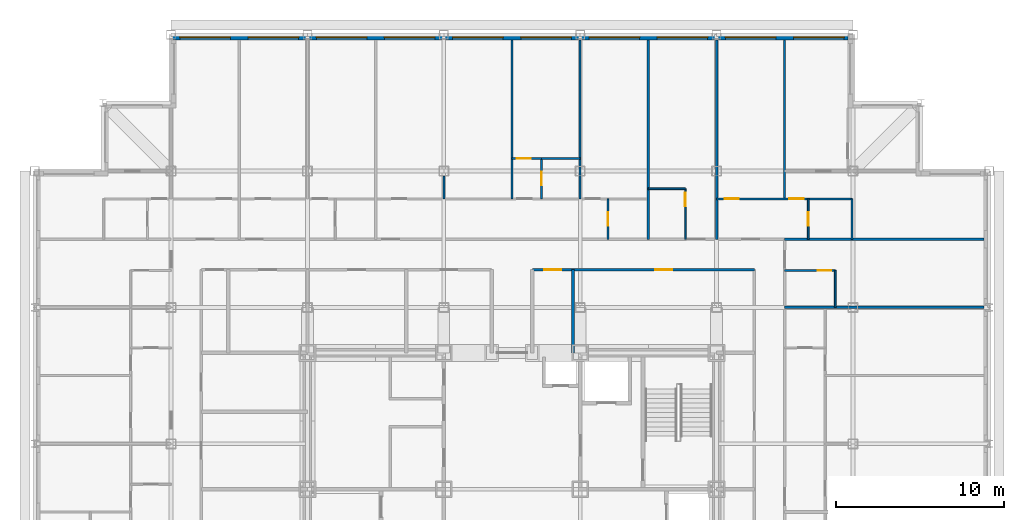
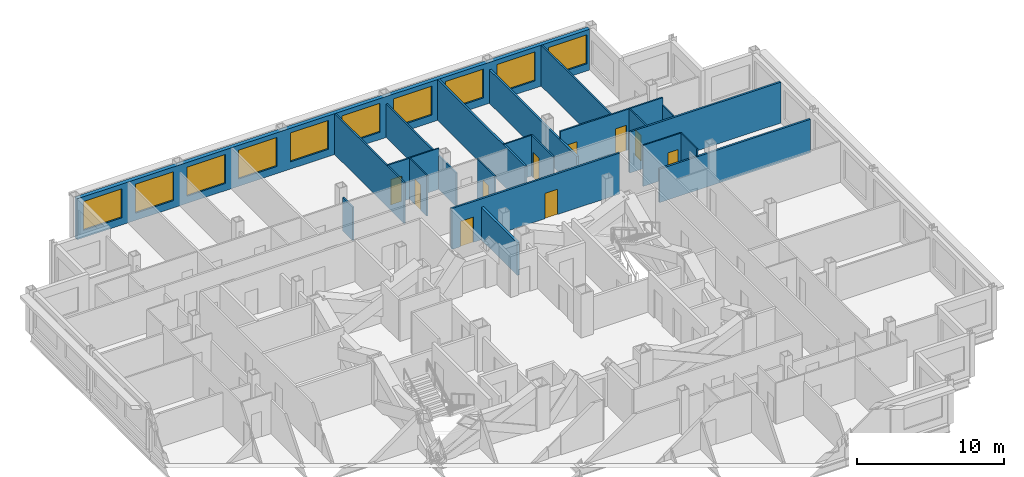
# One storey, part 10 of 12: 22 walls, 10 doors, 10 windows, 20 openings.
"""IFC4 building model written with IfcOpenShell, lengths in metres."""

from ifc_helpers import new_model, si_unit, direction, frame, frame_2d, origin, place, context, subcontext, project, spatial, rectangle, extrude, material, layer, layer_set, type_object, element, fill, save


model = new_model("IFC4")

# Units and contexts
model_context = context("Model", 3, precision=1e-05, world=origin(), true_north=direction((0.0, 1.0)))
body_context = subcontext(model_context, "Body", "Model", "MODEL_VIEW")
ifc_project = project(units=[si_unit("LENGTHUNIT", "METRE"), si_unit("AREAUNIT", "SQUARE_METRE"), si_unit("VOLUMEUNIT", "CUBIC_METRE"), si_unit("PLANEANGLEUNIT", "RADIAN"), si_unit("MASSUNIT", "GRAM", prefix="KILO")], contexts=[model_context])

# Site, building, storey
site_placement = place(None, origin())
site = spatial("IfcSite", under=ifc_project, at=site_placement, CompositionType="ELEMENT")
building_placement = place(site_placement, origin())
building = spatial("IfcBuilding", under=site, at=building_placement, Name="Kopane Lantern Tower", CompositionType="ELEMENT")
storey_placement = place(building_placement, frame((0.0, 0.0, 206.39990234375)))
storey = spatial("IfcBuildingStorey", under=building, at=storey_placement, Name="L53", CompositionType="ELEMENT", Elevation=206.39990234375)

# Walls
ifc_material_1 = material(Name="Gypsum board on steel studs", Category="steel")
ifc_layer_1 = layer(ifc_material_1, 0.1201171875)
ifc_layer_set_1 = layer_set([ifc_layer_1], Name="APARTMENT INTERNAL WALL 120")
wall_type_1 = type_object("IfcWallType", Name="APARTMENT INTERNAL WALL 120", PredefinedType="PARTITIONING", material=ifc_layer_set_1)
wall_1_placement = place(storey_placement, frame((28.35009765625, 49.64990234375, 0.0), z_axis=(0.0, 0.0, 1.0), x_axis=(0.0, 1.0, 0.0)))
element("IfcWall", 1, at=wall_1_placement, inside=storey, type_object=wall_type_1, Name="Apartment Internal Wall 120 L53", PredefinedType="PARTITIONING", context=body_context, shape_type="SweptSolid", body=[
    extrude(rectangle(XDim=9.4501953125, YDim=0.1201171875, at=frame_2d((4.72509765625, 0.0))), origin(), (0.0, 0.0, 1.0), 3.39013671875),
])
wall_2_placement = place(storey_placement, frame((32.39990234375, 49.64990234375, 0.0), z_axis=(0.0, 0.0, 1.0), x_axis=(0.0, 1.0, 0.0)))
element("IfcWall", 2, at=wall_2_placement, inside=storey, type_object=wall_type_1, Name="Apartment Internal Wall 120 L53", PredefinedType="PARTITIONING", context=body_context, shape_type="SweptSolid", body=[
    extrude(rectangle(XDim=9.4501953125, YDim=0.1201171875, at=frame_2d((4.72509765625, 0.0))), origin(), (0.0, 0.0, 1.0), 2.77783203125),
])

# Wall, openings, doors
wall_3_placement = place(storey_placement, frame((40.5, 49.64990234375, 0.0), z_axis=(0.0, 0.0, 1.0), x_axis=(1.0, 0.0, 0.0)))
wall_3 = element("IfcWall", 3, at=wall_3_placement, inside=storey, type_object=wall_type_1, Name="Apartment Internal Wall 120 L53", PredefinedType="PARTITIONING", context=body_context, shape_type="SweptSolid", body=[
    extrude(rectangle(XDim=8.050048828125, YDim=0.1201171875, at=frame_2d((4.02490234375, 0.0))), origin(), (0.0, 0.0, 1.0), 3.39013671875),
])
opening_1_placement = place(wall_3_placement, frame((0.47509765625, 0.0, 0.0)))
opening_1 = element("IfcOpeningElement", 4, at=opening_1_placement, cuts=wall_3, Name="Opening L53-071", PredefinedType="OPENING", context=body_context, shape_type="SweptSolid", body=[
    extrude(rectangle(XDim=0.85009765625, YDim=2.10009765625, at=frame_2d((0.425048828125, 1.050048828125))), frame((0.0, 0.070068359375, 0.0), z_axis=(0.0, -1.0, 0.0), x_axis=(1.0, 0.0, 0.0)), (0.0, 0.0, 1.0), 0.14013671875),
])
opening_2_placement = place(wall_3_placement, frame((4.324951171875, 0.0, 0.0)))
opening_2 = element("IfcOpeningElement", 5, at=opening_2_placement, cuts=wall_3, Name="Opening L53-073", PredefinedType="OPENING", context=body_context, shape_type="SweptSolid", body=[
    extrude(rectangle(XDim=0.85009765625, YDim=2.10009765625, at=frame_2d((0.425048828125, 1.050048828125))), frame((0.0, 0.070068359375, 0.0), z_axis=(0.0, -1.0, 0.0), x_axis=(1.0, 0.0, 0.0)), (0.0, 0.0, 1.0), 0.14013671875),
])
ifc_material_2 = material(Name="Timber door set", Category="wood")
door_type_1 = type_object("IfcDoorType", Name="DOOR D4 850x2100", OperationType="SINGLE_SWING_LEFT", PredefinedType="DOOR", material=ifc_material_2)
door_1_placement = place(opening_1_placement, origin())
door_1 = element("IfcDoor", 6, at=door_1_placement, inside=storey, type_object=door_type_1, Name="Door L53-071", OperationType="SINGLE_SWING_RIGHT", OverallHeight=2.10009765625, OverallWidth=0.85009765625, PredefinedType="DOOR", context=body_context, shape_type="SweptSolid", body=[
    extrude(rectangle(XDim=0.85009765625, YDim=2.10009765625, at=frame_2d((0.425048828125, 1.050048828125))), frame((0.0, 0.02490234375, 0.0), z_axis=(0.0, -1.0, 0.0), x_axis=(1.0, 0.0, 0.0)), (0.0, 0.0, 1.0), 0.050048828125),
])
fill(opening_1, door_1)
door_2_placement = place(opening_2_placement, origin())
door_2 = element("IfcDoor", 7, at=door_2_placement, inside=storey, type_object=door_type_1, Name="Door L53-073", OperationType="SINGLE_SWING_LEFT", OverallHeight=2.10009765625, OverallWidth=0.85009765625, PredefinedType="DOOR", context=body_context, shape_type="SweptSolid", body=[
    extrude(rectangle(XDim=0.85009765625, YDim=2.10009765625, at=frame_2d((0.425048828125, 1.050048828125))), frame((0.0, 0.02490234375, 0.0), z_axis=(0.0, -1.0, 0.0), x_axis=(1.0, 0.0, 0.0)), (0.0, 0.0, 1.0), 0.050048828125),
])
fill(opening_2, door_2)

# Wall
wall_4_placement = place(storey_placement, frame((44.550048828125, 49.64990234375, 0.0), z_axis=(0.0, 0.0, 1.0), x_axis=(0.0, 1.0, 0.0)))
element("IfcWall", 8, at=wall_4_placement, inside=storey, type_object=wall_type_1, Name="Apartment Internal Wall 120 L53", PredefinedType="PARTITIONING", context=body_context, shape_type="SweptSolid", body=[
    extrude(rectangle(XDim=9.4501953125, YDim=0.1201171875, at=frame_2d((4.72509765625, 0.0))), origin(), (0.0, 0.0, 1.0), 3.39013671875),
])

# Wall, opening, door
wall_5_placement = place(storey_placement, frame((28.35009765625, 52.050048828125, 0.0), z_axis=(0.0, 0.0, 1.0), x_axis=(1.0, 0.0, 0.0)))
wall_5 = element("IfcWall", 9, at=wall_5_placement, inside=storey, type_object=wall_type_1, Name="Apartment Internal Wall 120 L53", PredefinedType="PARTITIONING", context=body_context, shape_type="SweptSolid", body=[
    extrude(rectangle(XDim=1.760009765625, YDim=0.1201171875, at=frame_2d((0.8798828125, 0.0))), origin(), (0.0, 0.0, 1.0), 3.39013671875),
])
opening_3_placement = place(wall_5_placement, frame((0.27490234375, 0.0, 0.0)))
opening_3 = element("IfcOpeningElement", 10, at=opening_3_placement, cuts=wall_5, Name="Opening L53-081", PredefinedType="OPENING", context=body_context, shape_type="SweptSolid", body=[
    extrude(rectangle(XDim=0.85009765625, YDim=2.10009765625, at=frame_2d((0.425048828125, 1.050048828125))), frame((0.0, 0.070068359375, 0.0), z_axis=(0.0, -1.0, 0.0), x_axis=(1.0, 0.0, 0.0)), (0.0, 0.0, 1.0), 0.14013671875),
])
door_3_placement = place(opening_3_placement, origin())
door_3 = element("IfcDoor", 11, at=door_3_placement, inside=storey, type_object=door_type_1, Name="Door L53-081", OperationType="SINGLE_SWING_LEFT", OverallHeight=2.10009765625, OverallWidth=0.85009765625, PredefinedType="DOOR", context=body_context, shape_type="SweptSolid", body=[
    extrude(rectangle(XDim=0.85009765625, YDim=2.10009765625, at=frame_2d((0.425048828125, 1.050048828125))), frame((0.0, 0.02490234375, 0.0), z_axis=(0.0, -1.0, 0.0), x_axis=(1.0, 0.0, 0.0)), (0.0, 0.0, 1.0), 0.050048828125),
])
fill(opening_3, door_3)

# Wall
wall_6_placement = place(storey_placement, frame((24.300048828125, 49.64990234375, 0.0), z_axis=(0.0, 0.0, 1.0), x_axis=(0.0, 1.0, 0.0)))
element("IfcWall", 12, at=wall_6_placement, inside=storey, type_object=wall_type_1, Name="Apartment Internal Wall 120 L53", PredefinedType="PARTITIONING", context=body_context, shape_type="SweptSolid", body=[
    extrude(rectangle(XDim=1.35009765625, YDim=0.1201171875, at=frame_2d((0.675048828125, 0.0))), origin(), (0.0, 0.0, 1.0), 2.77783203125),
])

# Wall, opening, door
ifc_material_3 = material(Name="Moisture-resistant board on steel studs", Category="steel")
ifc_layer_2 = layer(ifc_material_3, 0.10009765625)
ifc_layer_set_2 = layer_set([ifc_layer_2], Name="BATHROOM WALL 100")
wall_type_2 = type_object("IfcWallType", Name="BATHROOM WALL 100", PredefinedType="PARTITIONING", material=ifc_layer_set_2)
wall_7_placement = place(storey_placement, frame((34.050048828125, 47.25, 0.0), z_axis=(0.0, 0.0, 1.0), x_axis=(0.0, 1.0, 0.0)))
wall_7 = element("IfcWall", 13, at=wall_7_placement, inside=storey, type_object=wall_type_2, Name="Bathroom Wall 100 L53", PredefinedType="PARTITIONING", context=body_context, shape_type="SweptSolid", body=[
    extrude(rectangle(XDim=2.39990234375, YDim=0.10009765625, at=frame_2d((1.199951171875, 0.0))), origin(), (0.0, 0.0, 1.0), 3.39013671875),
])
opening_4_placement = place(wall_7_placement, frame((0.800048828125, 0.0, 0.0)))
opening_4 = element("IfcOpeningElement", 14, at=opening_4_placement, cuts=wall_7, Name="Opening L53-033", PredefinedType="OPENING", context=body_context, shape_type="SweptSolid", body=[
    extrude(rectangle(XDim=0.800048828125, YDim=2.10009765625, at=frame_2d((0.39990234375, 1.050048828125))), frame((0.0, 0.06005859375, 0.0), z_axis=(0.0, -1.0, 0.0), x_axis=(1.0, 0.0, 0.0)), (0.0, 0.0, 1.0), 0.1201171875),
])
ifc_material_4 = material(Name="Timber door set", Category="wood")
door_type_2 = type_object("IfcDoorType", Name="DOOR D2 800x2100", OperationType="SINGLE_SWING_LEFT", PredefinedType="DOOR", material=ifc_material_4)
door_4_placement = place(opening_4_placement, origin())
door_4 = element("IfcDoor", 15, at=door_4_placement, inside=storey, type_object=door_type_2, Name="Door L53-033", OperationType="SINGLE_SWING_RIGHT", OverallHeight=2.10009765625, OverallWidth=0.800048828125, PredefinedType="DOOR", context=body_context, shape_type="SweptSolid", body=[
    extrude(rectangle(XDim=0.800048828125, YDim=2.10009765625, at=frame_2d((0.39990234375, 1.050048828125))), frame((0.0, 0.02490234375, 0.0), z_axis=(0.0, -1.0, 0.0), x_axis=(1.0, 0.0, 0.0)), (0.0, 0.0, 1.0), 0.050048828125),
])
fill(opening_4, door_4)

wall_8_placement = place(storey_placement, frame((30.10009765625, 49.64990234375, 0.0), z_axis=(0.0, 0.0, 1.0), x_axis=(0.0, 1.0, 0.0)))
wall_8 = element("IfcWall", 16, at=wall_8_placement, inside=storey, type_object=wall_type_2, Name="Bathroom Wall 100 L53", PredefinedType="PARTITIONING", context=body_context, shape_type="SweptSolid", body=[
    extrude(rectangle(XDim=2.400146484375, YDim=0.10009765625, at=frame_2d((1.2001953125, 0.0))), origin(), (0.0, 0.0, 1.0), 3.39013671875),
])
opening_5_placement = place(wall_8_placement, frame((0.800048828125, 0.0, 0.0)))
opening_5 = element("IfcOpeningElement", 17, at=opening_5_placement, cuts=wall_8, Name="Opening L53-036", PredefinedType="OPENING", context=body_context, shape_type="SweptSolid", body=[
    extrude(rectangle(XDim=0.800048828125, YDim=2.10009765625, at=frame_2d((0.39990234375, 1.050048828125))), frame((0.0, 0.06005859375, 0.0), z_axis=(0.0, -1.0, 0.0), x_axis=(1.0, 0.0, 0.0)), (0.0, 0.0, 1.0), 0.1201171875),
])
door_5_placement = place(opening_5_placement, origin())
door_5 = element("IfcDoor", 18, at=door_5_placement, inside=storey, type_object=door_type_2, Name="Door L53-036", OperationType="SINGLE_SWING_RIGHT", OverallHeight=2.10009765625, OverallWidth=0.800048828125, PredefinedType="DOOR", context=body_context, shape_type="SweptSolid", body=[
    extrude(rectangle(XDim=0.800048828125, YDim=2.10009765625, at=frame_2d((0.39990234375, 1.050048828125))), frame((0.0, 0.02490234375, 0.0), z_axis=(0.0, -1.0, 0.0), x_axis=(1.0, 0.0, 0.0)), (0.0, 0.0, 1.0), 0.050048828125),
])
fill(opening_5, door_5)

# Walls
wall_9_placement = place(storey_placement, frame((30.10009765625, 52.050048828125, 0.0), z_axis=(0.0, 0.0, 1.0), x_axis=(1.0, 0.0, 0.0)))
element("IfcWall", 19, at=wall_9_placement, inside=storey, type_object=wall_type_2, Name="Bathroom Wall 100 L53", PredefinedType="PARTITIONING", context=body_context, shape_type="SweptSolid", body=[
    extrude(rectangle(XDim=2.2998046875, YDim=0.10009765625, at=frame_2d((1.14990234375, 0.0))), origin(), (0.0, 0.0, 1.0), 3.39013671875),
])
wall_10_placement = place(storey_placement, frame((36.449951171875, 50.25, 0.0), z_axis=(0.0, 0.0, 1.0), x_axis=(1.0, 0.0, 0.0)))
element("IfcWall", 20, at=wall_10_placement, inside=storey, type_object=wall_type_2, Name="Bathroom Wall 100 L53", PredefinedType="PARTITIONING", context=body_context, shape_type="SweptSolid", body=[
    extrude(rectangle(XDim=2.199951171875, YDim=0.10009765625, at=frame_2d((1.10009765625, 0.0))), origin(), (0.0, 0.0, 1.0), 3.39013671875),
])

# Wall, opening, door
wall_11_placement = place(storey_placement, frame((38.64990234375, 47.25, 0.0), z_axis=(0.0, 0.0, 1.0), x_axis=(0.0, 1.0, 0.0)))
wall_11 = element("IfcWall", 21, at=wall_11_placement, inside=storey, type_object=wall_type_2, Name="Bathroom Wall 100 L53", PredefinedType="PARTITIONING", context=body_context, shape_type="SweptSolid", body=[
    extrude(rectangle(XDim=3.0, YDim=0.10009765625, at=frame_2d((1.5, 0.0))), origin(), (0.0, 0.0, 1.0), 3.39013671875),
])
opening_6_placement = place(wall_11_placement, frame((1.949951171875, 0.0, 0.0)))
opening_6 = element("IfcOpeningElement", 22, at=opening_6_placement, cuts=wall_11, Name="Opening L53-039", PredefinedType="OPENING", context=body_context, shape_type="SweptSolid", body=[
    extrude(rectangle(XDim=0.800048828125, YDim=2.10009765625, at=frame_2d((0.39990234375, 1.050048828125))), frame((0.0, 0.06005859375, 0.0), z_axis=(0.0, -1.0, 0.0), x_axis=(1.0, 0.0, 0.0)), (0.0, 0.0, 1.0), 0.1201171875),
])
door_6_placement = place(opening_6_placement, origin())
door_6 = element("IfcDoor", 23, at=door_6_placement, inside=storey, type_object=door_type_2, Name="Door L53-039", OperationType="SINGLE_SWING_RIGHT", OverallHeight=2.10009765625, OverallWidth=0.800048828125, PredefinedType="DOOR", context=body_context, shape_type="SweptSolid", body=[
    extrude(rectangle(XDim=0.800048828125, YDim=2.10009765625, at=frame_2d((0.39990234375, 1.050048828125))), frame((0.0, 0.02490234375, 0.0), z_axis=(0.0, -1.0, 0.0), x_axis=(1.0, 0.0, 0.0)), (0.0, 0.0, 1.0), 0.050048828125),
])
fill(opening_6, door_6)

# Wall
wall_12_placement = place(storey_placement, frame((47.550048828125, 43.199951171875, 0.0), z_axis=(0.0, 0.0, 1.0), x_axis=(0.0, 1.0, 0.0)))
element("IfcWall", 24, at=wall_12_placement, inside=storey, type_object=wall_type_2, Name="Bathroom Wall 100 L53", PredefinedType="PARTITIONING", context=body_context, shape_type="SweptSolid", body=[
    extrude(rectangle(XDim=2.199951171875, YDim=0.10009765625, at=frame_2d((1.10009765625, 0.0))), origin(), (0.0, 0.0, 1.0), 3.39013671875),
])

# Wall, opening, door
wall_13_placement = place(storey_placement, frame((44.550048828125, 45.39990234375, 0.0), z_axis=(0.0, 0.0, 1.0), x_axis=(1.0, 0.0, 0.0)))
wall_13 = element("IfcWall", 25, at=wall_13_placement, inside=storey, type_object=wall_type_2, Name="Bathroom Wall 100 L53", PredefinedType="PARTITIONING", context=body_context, shape_type="SweptSolid", body=[
    extrude(rectangle(XDim=3.0, YDim=0.10009765625, at=frame_2d((1.5, 0.0))), origin(), (0.0, 0.0, 1.0), 3.39013671875),
])
opening_7_placement = place(wall_13_placement, frame((1.949951171875, 0.0, 0.0)))
opening_7 = element("IfcOpeningElement", 26, at=opening_7_placement, cuts=wall_13, Name="Opening L53-061", PredefinedType="OPENING", context=body_context, shape_type="SweptSolid", body=[
    extrude(rectangle(XDim=0.800048828125, YDim=2.10009765625, at=frame_2d((0.39990234375, 1.050048828125))), frame((0.0, 0.06005859375, 0.0), z_axis=(0.0, -1.0, 0.0), x_axis=(1.0, 0.0, 0.0)), (0.0, 0.0, 1.0), 0.1201171875),
])
door_7_placement = place(opening_7_placement, origin())
door_7 = element("IfcDoor", 27, at=door_7_placement, inside=storey, type_object=door_type_2, Name="Door L53-061", OperationType="SINGLE_SWING_LEFT", OverallHeight=2.10009765625, OverallWidth=0.800048828125, PredefinedType="DOOR", context=body_context, shape_type="SweptSolid", body=[
    extrude(rectangle(XDim=0.800048828125, YDim=2.10009765625, at=frame_2d((0.39990234375, 1.050048828125))), frame((0.0, 0.02490234375, 0.0), z_axis=(0.0, -1.0, 0.0), x_axis=(1.0, 0.0, 0.0)), (0.0, 0.0, 1.0), 0.050048828125),
])
fill(opening_7, door_7)

wall_14_placement = place(storey_placement, frame((45.949951171875, 47.25, 0.0), z_axis=(0.0, 0.0, 1.0), x_axis=(0.0, 1.0, 0.0)))
wall_14 = element("IfcWall", 28, at=wall_14_placement, inside=storey, type_object=wall_type_2, Name="Bathroom Wall 100 L53", PredefinedType="PARTITIONING", context=body_context, shape_type="SweptSolid", body=[
    extrude(rectangle(XDim=2.39990234375, YDim=0.10009765625, at=frame_2d((1.199951171875, 0.0))), origin(), (0.0, 0.0, 1.0), 3.39013671875),
])
opening_8_placement = place(wall_14_placement, frame((0.800048828125, 0.0, 0.0)))
opening_8 = element("IfcOpeningElement", 29, at=opening_8_placement, cuts=wall_14, Name="Opening L53-072", PredefinedType="OPENING", context=body_context, shape_type="SweptSolid", body=[
    extrude(rectangle(XDim=0.800048828125, YDim=2.10009765625, at=frame_2d((0.39990234375, 1.050048828125))), frame((0.0, 0.06005859375, 0.0), z_axis=(0.0, -1.0, 0.0), x_axis=(1.0, 0.0, 0.0)), (0.0, 0.0, 1.0), 0.1201171875),
])
door_8_placement = place(opening_8_placement, origin())
door_8 = element("IfcDoor", 30, at=door_8_placement, inside=storey, type_object=door_type_2, Name="Door L53-072", OperationType="SINGLE_SWING_RIGHT", OverallHeight=2.10009765625, OverallWidth=0.800048828125, PredefinedType="DOOR", context=body_context, shape_type="SweptSolid", body=[
    extrude(rectangle(XDim=0.800048828125, YDim=2.10009765625, at=frame_2d((0.39990234375, 1.050048828125))), frame((0.0, 0.02490234375, 0.0), z_axis=(0.0, -1.0, 0.0), x_axis=(1.0, 0.0, 0.0)), (0.0, 0.0, 1.0), 0.050048828125),
])
fill(opening_8, door_8)

# Wall
wall_15_placement = place(storey_placement, frame((48.550048828125, 47.25, 0.0), z_axis=(0.0, 0.0, 1.0), x_axis=(0.0, 1.0, 0.0)))
element("IfcWall", 31, at=wall_15_placement, inside=storey, type_object=wall_type_2, Name="Bathroom Wall 100 L53", PredefinedType="PARTITIONING", context=body_context, shape_type="SweptSolid", body=[
    extrude(rectangle(XDim=2.39990234375, YDim=0.10009765625, at=frame_2d((1.199951171875, 0.0))), origin(), (0.0, 0.0, 1.0), 2.77783203125),
])

# Wall, openings, doors
ifc_material_5 = material(Name="Gypsum board on steel studs", Category="steel")
ifc_layer_3 = layer(ifc_material_5, 0.14990234375)
ifc_layer_set_3 = layer_set([ifc_layer_3], Name="CORRIDOR WALL 150 EI 60")
wall_type_3 = type_object("IfcWallType", Name="CORRIDOR WALL 150 EI 60", PredefinedType="PARTITIONING", material=ifc_layer_set_3)
wall_16_placement = place(storey_placement, frame((42.75, 45.449951171875, 0.0), z_axis=(0.0, 0.0, 1.0), x_axis=(-1.0, 0.0, 0.0)))
wall_16 = element("IfcWall", 32, at=wall_16_placement, inside=storey, type_object=wall_type_3, Name="Corridor Wall 150 Ei 60 L53", PredefinedType="PARTITIONING", context=body_context, shape_type="SweptSolid", body=[
    extrude(rectangle(XDim=13.18994140625, YDim=0.14990234375, at=frame_2d((6.594970703125, 0.0))), origin(), (0.0, 0.0, 1.0), 3.39013671875),
])
opening_9_placement = place(wall_16_placement, frame((11.48779296875, 0.0, 0.0)))
opening_9 = element("IfcOpeningElement", 33, at=opening_9_placement, cuts=wall_16, Name="Opening L53-015", PredefinedType="OPENING", context=body_context, shape_type="SweptSolid", body=[
    extrude(rectangle(XDim=1.0, YDim=2.10009765625, at=frame_2d((0.5, 1.050048828125))), frame((0.0, 0.0849609375, 0.0), z_axis=(0.0, -1.0, 0.0), x_axis=(1.0, 0.0, 0.0)), (0.0, 0.0, 1.0), 0.169921875),
])
opening_10_placement = place(wall_16_placement, frame((4.887939453125, 0.0, 0.0)))
opening_10 = element("IfcOpeningElement", 34, at=opening_10_placement, cuts=wall_16, Name="Opening L53-016", PredefinedType="OPENING", context=body_context, shape_type="SweptSolid", body=[
    extrude(rectangle(XDim=1.0, YDim=2.10009765625, at=frame_2d((0.5, 1.050048828125))), frame((0.0, 0.0849609375, 0.0), z_axis=(0.0, -1.0, 0.0), x_axis=(1.0, 0.0, 0.0)), (0.0, 0.0, 1.0), 0.169921875),
])
ifc_material_6 = material(Name="Steel door set", Category="steel")
door_type_3 = type_object("IfcDoorType", Name="DOOR D5 1000x2100 FD60", OperationType="SINGLE_SWING_LEFT", PredefinedType="DOOR", material=ifc_material_6)
door_9_placement = place(opening_9_placement, origin())
door_9 = element("IfcDoor", 35, at=door_9_placement, inside=storey, type_object=door_type_3, Name="Door L53-015", OperationType="SINGLE_SWING_RIGHT", OverallHeight=2.10009765625, OverallWidth=1.0, PredefinedType="DOOR", context=body_context, shape_type="SweptSolid", body=[
    extrude(rectangle(XDim=1.0, YDim=2.10009765625, at=frame_2d((0.5, 1.050048828125))), frame((0.0, 0.02490234375, 0.0), z_axis=(0.0, -1.0, 0.0), x_axis=(1.0, 0.0, 0.0)), (0.0, 0.0, 1.0), 0.050048828125),
])
fill(opening_9, door_9)
door_10_placement = place(opening_10_placement, origin())
door_10 = element("IfcDoor", 36, at=door_10_placement, inside=storey, type_object=door_type_3, Name="Door L53-016", OperationType="SINGLE_SWING_LEFT", OverallHeight=2.10009765625, OverallWidth=1.0, PredefinedType="DOOR", context=body_context, shape_type="SweptSolid", body=[
    extrude(rectangle(XDim=1.0, YDim=2.10009765625, at=frame_2d((0.5, 1.050048828125))), frame((0.0, 0.02490234375, 0.0), z_axis=(0.0, -1.0, 0.0), x_axis=(1.0, 0.0, 0.0)), (0.0, 0.0, 1.0), 0.050048828125),
])
fill(opening_10, door_10)

# Walls
ifc_material_7 = material(Name="Gypsum board on steel studs", Category="steel")
ifc_layer_4 = layer(ifc_material_7, 0.14990234375)
ifc_layer_set_4 = layer_set([ifc_layer_4], Name="DEMISING WALL 150 EI 60")
wall_type_4 = type_object("IfcWallType", Name="DEMISING WALL 150 EI 60", PredefinedType="PARTITIONING", material=ifc_layer_set_4)
wall_17_placement = place(storey_placement, frame((36.449951171875, 47.25, 0.0), z_axis=(0.0, 0.0, 1.0), x_axis=(0.0, 1.0, 0.0)))
element("IfcWall", 37, at=wall_17_placement, inside=storey, type_object=wall_type_4, Name="Demising Wall 150 Ei 60 L53", PredefinedType="PARTITIONING", context=body_context, shape_type="SweptSolid", body=[
    extrude(rectangle(XDim=11.85009765625, YDim=0.14990234375, at=frame_2d((5.925048828125, 0.0))), origin(), (0.0, 0.0, 1.0), 3.39013671875),
])
wall_18_placement = place(storey_placement, frame((44.550048828125, 43.199951171875, 0.0), z_axis=(0.0, 0.0, 1.0), x_axis=(1.0, 0.0, 0.0)))
element("IfcWall", 38, at=wall_18_placement, inside=storey, type_object=wall_type_4, Name="Demising Wall 150 Ei 60 L53", PredefinedType="PARTITIONING", context=body_context, shape_type="SweptSolid", body=[
    extrude(rectangle(XDim=11.849853515625, YDim=0.14990234375, at=frame_2d((5.9248046875, 0.0))), origin(), (0.0, 0.0, 1.0), 2.77783203125),
])
wall_19_placement = place(storey_placement, frame((44.550048828125, 47.25, 0.0), z_axis=(0.0, 0.0, 1.0), x_axis=(1.0, 0.0, 0.0)))
element("IfcWall", 39, at=wall_19_placement, inside=storey, type_object=wall_type_4, Name="Demising Wall 150 Ei 60 L53", PredefinedType="PARTITIONING", context=body_context, shape_type="SweptSolid", body=[
    extrude(rectangle(XDim=11.849853515625, YDim=0.14990234375, at=frame_2d((5.9248046875, 0.0))), origin(), (0.0, 0.0, 1.0), 3.39013671875),
])
wall_20_placement = place(storey_placement, frame((40.5, 47.25, 0.0), z_axis=(0.0, 0.0, 1.0), x_axis=(0.0, 1.0, 0.0)))
element("IfcWall", 40, at=wall_20_placement, inside=storey, type_object=wall_type_4, Name="Demising Wall 150 Ei 60 L53", PredefinedType="PARTITIONING", context=body_context, shape_type="SweptSolid", body=[
    extrude(rectangle(XDim=11.85009765625, YDim=0.14990234375, at=frame_2d((5.925048828125, 0.0))), origin(), (0.0, 0.0, 1.0), 2.77783203125),
])

# Wall, openings, windows
ifc_material_8 = material(Name="Terracotta rainscreen on light steel framing", Category="masonry")
ifc_layer_5 = layer(ifc_material_8, 0.300048828125)
ifc_layer_set_5 = layer_set([ifc_layer_5], Name="EXTERNAL WALL EW1 300 TERRACOTTA")
wall_type_5 = type_object("IfcWallType", Name="EXTERNAL WALL EW1 300 TERRACOTTA", PredefinedType="SOLIDWALL", material=ifc_layer_set_5)
wall_21_placement = place(storey_placement, frame((48.300048828125, 59.25, 0.0), z_axis=(0.0, 0.0, 1.0), x_axis=(-1.0, 0.0, 0.0)))
wall_21 = element("IfcWall", 41, at=wall_21_placement, inside=storey, type_object=wall_type_5, Name="External wall N L53", PredefinedType="SOLIDWALL", context=body_context, shape_type="SweptSolid", body=[
    extrude(rectangle(XDim=40.199951171875, YDim=0.300048828125, at=frame_2d((20.10009765625, 0.0))), origin(), (0.0, 0.0, 1.0), 3.39013671875),
])
opening_11_placement = place(wall_21_placement, frame((0.22509765625, 0.0, 0.60009765625)))
opening_11 = element("IfcOpeningElement", 42, at=opening_11_placement, cuts=wall_21, Name="Opening WR300240", PredefinedType="OPENING", context=body_context, shape_type="SweptSolid", body=[
    extrude(rectangle(XDim=3.0, YDim=2.39990234375, at=frame_2d((1.5, 1.199951171875))), frame((0.0, 0.159912109375, 0.0), z_axis=(0.0, -1.0, 0.0), x_axis=(1.0, 0.0, 0.0)), (0.0, 0.0, 1.0), 0.320068359375),
])
opening_12_placement = place(wall_21_placement, frame((4.27490234375, 0.0, 0.60009765625)))
opening_12 = element("IfcOpeningElement", 43, at=opening_12_placement, cuts=wall_21, Name="Opening WR300240", PredefinedType="OPENING", context=body_context, shape_type="SweptSolid", body=[
    extrude(rectangle(XDim=3.0, YDim=2.39990234375, at=frame_2d((1.5, 1.199951171875))), frame((0.0, 0.159912109375, 0.0), z_axis=(0.0, -1.0, 0.0), x_axis=(1.0, 0.0, 0.0)), (0.0, 0.0, 1.0), 0.320068359375),
])
opening_13_placement = place(wall_21_placement, frame((8.324951171875, 0.0, 0.60009765625)))
opening_13 = element("IfcOpeningElement", 44, at=opening_13_placement, cuts=wall_21, Name="Opening WR300240", PredefinedType="OPENING", context=body_context, shape_type="SweptSolid", body=[
    extrude(rectangle(XDim=3.0, YDim=2.39990234375, at=frame_2d((1.5, 1.199951171875))), frame((0.0, 0.159912109375, 0.0), z_axis=(0.0, -1.0, 0.0), x_axis=(1.0, 0.0, 0.0)), (0.0, 0.0, 1.0), 0.320068359375),
])
opening_14_placement = place(wall_21_placement, frame((12.375, 0.0, 0.60009765625)))
opening_14 = element("IfcOpeningElement", 45, at=opening_14_placement, cuts=wall_21, Name="Opening WR300240", PredefinedType="OPENING", context=body_context, shape_type="SweptSolid", body=[
    extrude(rectangle(XDim=3.0, YDim=2.39990234375, at=frame_2d((1.5, 1.199951171875))), frame((0.0, 0.159912109375, 0.0), z_axis=(0.0, -1.0, 0.0), x_axis=(1.0, 0.0, 0.0)), (0.0, 0.0, 1.0), 0.320068359375),
])
opening_15_placement = place(wall_21_placement, frame((16.425048828125, 0.0, 0.60009765625)))
opening_15 = element("IfcOpeningElement", 46, at=opening_15_placement, cuts=wall_21, Name="Opening WR300240", PredefinedType="OPENING", context=body_context, shape_type="SweptSolid", body=[
    extrude(rectangle(XDim=3.0, YDim=2.39990234375, at=frame_2d((1.5, 1.199951171875))), frame((0.0, 0.159912109375, 0.0), z_axis=(0.0, -1.0, 0.0), x_axis=(1.0, 0.0, 0.0)), (0.0, 0.0, 1.0), 0.320068359375),
])
opening_16_placement = place(wall_21_placement, frame((20.47509765625, 0.0, 0.60009765625)))
opening_16 = element("IfcOpeningElement", 47, at=opening_16_placement, cuts=wall_21, Name="Opening WR300240", PredefinedType="OPENING", context=body_context, shape_type="SweptSolid", body=[
    extrude(rectangle(XDim=3.0, YDim=2.39990234375, at=frame_2d((1.5, 1.199951171875))), frame((0.0, 0.159912109375, 0.0), z_axis=(0.0, -1.0, 0.0), x_axis=(1.0, 0.0, 0.0)), (0.0, 0.0, 1.0), 0.320068359375),
])
opening_17_placement = place(wall_21_placement, frame((24.52490234375, 0.0, 0.60009765625)))
opening_17 = element("IfcOpeningElement", 48, at=opening_17_placement, cuts=wall_21, Name="Opening WR300240", PredefinedType="OPENING", context=body_context, shape_type="SweptSolid", body=[
    extrude(rectangle(XDim=3.0, YDim=2.39990234375, at=frame_2d((1.5, 1.199951171875))), frame((0.0, 0.159912109375, 0.0), z_axis=(0.0, -1.0, 0.0), x_axis=(1.0, 0.0, 0.0)), (0.0, 0.0, 1.0), 0.320068359375),
])
opening_18_placement = place(wall_21_placement, frame((28.574951171875, 0.0, 0.60009765625)))
opening_18 = element("IfcOpeningElement", 49, at=opening_18_placement, cuts=wall_21, Name="Opening WR300240", PredefinedType="OPENING", context=body_context, shape_type="SweptSolid", body=[
    extrude(rectangle(XDim=3.0, YDim=2.39990234375, at=frame_2d((1.5, 1.199951171875))), frame((0.0, 0.159912109375, 0.0), z_axis=(0.0, -1.0, 0.0), x_axis=(1.0, 0.0, 0.0)), (0.0, 0.0, 1.0), 0.320068359375),
])
opening_19_placement = place(wall_21_placement, frame((32.625, 0.0, 0.60009765625)))
opening_19 = element("IfcOpeningElement", 50, at=opening_19_placement, cuts=wall_21, Name="Opening WR300240", PredefinedType="OPENING", context=body_context, shape_type="SweptSolid", body=[
    extrude(rectangle(XDim=3.0, YDim=2.39990234375, at=frame_2d((1.5, 1.199951171875))), frame((0.0, 0.159912109375, 0.0), z_axis=(0.0, -1.0, 0.0), x_axis=(1.0, 0.0, 0.0)), (0.0, 0.0, 1.0), 0.320068359375),
])
opening_20_placement = place(wall_21_placement, frame((36.675048828125, 0.0, 0.60009765625)))
opening_20 = element("IfcOpeningElement", 51, at=opening_20_placement, cuts=wall_21, Name="Opening WR300240", PredefinedType="OPENING", context=body_context, shape_type="SweptSolid", body=[
    extrude(rectangle(XDim=3.0, YDim=2.39990234375, at=frame_2d((1.5, 1.199951171875))), frame((0.0, 0.159912109375, 0.0), z_axis=(0.0, -1.0, 0.0), x_axis=(1.0, 0.0, 0.0)), (0.0, 0.0, 1.0), 0.320068359375),
])
ifc_material_9 = material(Name="Aluminium and clear glass", Category="aluminium")
window_type = type_object("IfcWindowType", Name="RIBBON WINDOW WR300240 3000x2400", PartitioningType="SINGLE_PANEL", PredefinedType="WINDOW", material=ifc_material_9)
window_1_placement = place(opening_11_placement, origin())
window_1 = element("IfcWindow", 52, at=window_1_placement, inside=storey, type_object=window_type, Name="Window N L53", OverallHeight=2.39990234375, OverallWidth=3.0, PartitioningType="SINGLE_PANEL", PredefinedType="WINDOW", context=body_context, shape_type="SweptSolid", body=[
    extrude(rectangle(XDim=3.0, YDim=2.39990234375, at=frame_2d((1.5, 1.199951171875))), frame((0.0, 0.030029296875, 0.0), z_axis=(0.0, -1.0, 0.0), x_axis=(1.0, 0.0, 0.0)), (0.0, 0.0, 1.0), 0.06005859375),
])
fill(opening_11, window_1)
window_2_placement = place(opening_12_placement, origin())
window_2 = element("IfcWindow", 53, at=window_2_placement, inside=storey, type_object=window_type, Name="Window N L53", OverallHeight=2.39990234375, OverallWidth=3.0, PartitioningType="SINGLE_PANEL", PredefinedType="WINDOW", context=body_context, shape_type="SweptSolid", body=[
    extrude(rectangle(XDim=3.0, YDim=2.39990234375, at=frame_2d((1.5, 1.199951171875))), frame((0.0, 0.030029296875, 0.0), z_axis=(0.0, -1.0, 0.0), x_axis=(1.0, 0.0, 0.0)), (0.0, 0.0, 1.0), 0.06005859375),
])
fill(opening_12, window_2)
window_3_placement = place(opening_13_placement, origin())
window_3 = element("IfcWindow", 54, at=window_3_placement, inside=storey, type_object=window_type, Name="Window N L53", OverallHeight=2.39990234375, OverallWidth=3.0, PartitioningType="SINGLE_PANEL", PredefinedType="WINDOW", context=body_context, shape_type="SweptSolid", body=[
    extrude(rectangle(XDim=3.0, YDim=2.39990234375, at=frame_2d((1.5, 1.199951171875))), frame((0.0, 0.030029296875, 0.0), z_axis=(0.0, -1.0, 0.0), x_axis=(1.0, 0.0, 0.0)), (0.0, 0.0, 1.0), 0.06005859375),
])
fill(opening_13, window_3)
window_4_placement = place(opening_14_placement, origin())
window_4 = element("IfcWindow", 55, at=window_4_placement, inside=storey, type_object=window_type, Name="Window N L53", OverallHeight=2.39990234375, OverallWidth=3.0, PartitioningType="SINGLE_PANEL", PredefinedType="WINDOW", context=body_context, shape_type="SweptSolid", body=[
    extrude(rectangle(XDim=3.0, YDim=2.39990234375, at=frame_2d((1.5, 1.199951171875))), frame((0.0, 0.030029296875, 0.0), z_axis=(0.0, -1.0, 0.0), x_axis=(1.0, 0.0, 0.0)), (0.0, 0.0, 1.0), 0.06005859375),
])
fill(opening_14, window_4)
window_5_placement = place(opening_15_placement, origin())
window_5 = element("IfcWindow", 56, at=window_5_placement, inside=storey, type_object=window_type, Name="Window N L53", OverallHeight=2.39990234375, OverallWidth=3.0, PartitioningType="SINGLE_PANEL", PredefinedType="WINDOW", context=body_context, shape_type="SweptSolid", body=[
    extrude(rectangle(XDim=3.0, YDim=2.39990234375, at=frame_2d((1.5, 1.199951171875))), frame((0.0, 0.030029296875, 0.0), z_axis=(0.0, -1.0, 0.0), x_axis=(1.0, 0.0, 0.0)), (0.0, 0.0, 1.0), 0.06005859375),
])
fill(opening_15, window_5)
window_6_placement = place(opening_16_placement, origin())
window_6 = element("IfcWindow", 57, at=window_6_placement, inside=storey, type_object=window_type, Name="Window N L53", OverallHeight=2.39990234375, OverallWidth=3.0, PartitioningType="SINGLE_PANEL", PredefinedType="WINDOW", context=body_context, shape_type="SweptSolid", body=[
    extrude(rectangle(XDim=3.0, YDim=2.39990234375, at=frame_2d((1.5, 1.199951171875))), frame((0.0, 0.030029296875, 0.0), z_axis=(0.0, -1.0, 0.0), x_axis=(1.0, 0.0, 0.0)), (0.0, 0.0, 1.0), 0.06005859375),
])
fill(opening_16, window_6)
window_7_placement = place(opening_17_placement, origin())
window_7 = element("IfcWindow", 58, at=window_7_placement, inside=storey, type_object=window_type, Name="Window N L53", OverallHeight=2.39990234375, OverallWidth=3.0, PartitioningType="SINGLE_PANEL", PredefinedType="WINDOW", context=body_context, shape_type="SweptSolid", body=[
    extrude(rectangle(XDim=3.0, YDim=2.39990234375, at=frame_2d((1.5, 1.199951171875))), frame((0.0, 0.030029296875, 0.0), z_axis=(0.0, -1.0, 0.0), x_axis=(1.0, 0.0, 0.0)), (0.0, 0.0, 1.0), 0.06005859375),
])
fill(opening_17, window_7)
window_8_placement = place(opening_18_placement, origin())
window_8 = element("IfcWindow", 59, at=window_8_placement, inside=storey, type_object=window_type, Name="Window N L53", OverallHeight=2.39990234375, OverallWidth=3.0, PartitioningType="SINGLE_PANEL", PredefinedType="WINDOW", context=body_context, shape_type="SweptSolid", body=[
    extrude(rectangle(XDim=3.0, YDim=2.39990234375, at=frame_2d((1.5, 1.199951171875))), frame((0.0, 0.030029296875, 0.0), z_axis=(0.0, -1.0, 0.0), x_axis=(1.0, 0.0, 0.0)), (0.0, 0.0, 1.0), 0.06005859375),
])
fill(opening_18, window_8)
window_9_placement = place(opening_19_placement, origin())
window_9 = element("IfcWindow", 60, at=window_9_placement, inside=storey, type_object=window_type, Name="Window N L53", OverallHeight=2.39990234375, OverallWidth=3.0, PartitioningType="SINGLE_PANEL", PredefinedType="WINDOW", context=body_context, shape_type="SweptSolid", body=[
    extrude(rectangle(XDim=3.0, YDim=2.39990234375, at=frame_2d((1.5, 1.199951171875))), frame((0.0, 0.030029296875, 0.0), z_axis=(0.0, -1.0, 0.0), x_axis=(1.0, 0.0, 0.0)), (0.0, 0.0, 1.0), 0.06005859375),
])
fill(opening_19, window_9)
window_10_placement = place(opening_20_placement, origin())
window_10 = element("IfcWindow", 61, at=window_10_placement, inside=storey, type_object=window_type, Name="Window N L53", OverallHeight=2.39990234375, OverallWidth=3.0, PartitioningType="SINGLE_PANEL", PredefinedType="WINDOW", context=body_context, shape_type="SweptSolid", body=[
    extrude(rectangle(XDim=3.0, YDim=2.39990234375, at=frame_2d((1.5, 1.199951171875))), frame((0.0, 0.030029296875, 0.0), z_axis=(0.0, -1.0, 0.0), x_axis=(1.0, 0.0, 0.0)), (0.0, 0.0, 1.0), 0.06005859375),
])
fill(opening_20, window_10)

# Wall
ifc_material_10 = material(Name="Concrete masonry", Category="masonry")
ifc_layer_6 = layer(ifc_material_10, 0.199951171875)
ifc_layer_set_6 = layer_set([ifc_layer_6], Name="PLANT ROOM WALL 200 EI 120")
wall_type_6 = type_object("IfcWallType", Name="PLANT ROOM WALL 200 EI 120", PredefinedType="SOLIDWALL", material=ifc_layer_set_6)
wall_22_placement = place(storey_placement, frame((31.97412109375, 45.449951171875, 0.0), z_axis=(0.0, 0.0, 1.0), x_axis=(0.0, -1.0, 0.0)))
element("IfcWall", 62, at=wall_22_placement, inside=storey, type_object=wall_type_6, Name="Plant Room Wall 200 Ei 120 L53", PredefinedType="SOLIDWALL", context=body_context, shape_type="SweptSolid", body=[
    extrude(rectangle(XDim=4.949951171875, YDim=0.199951171875, at=frame_2d((2.47509765625, 0.0))), origin(), (0.0, 0.0, 1.0), 2.690185546875),
])

save(model, "model.ifc")
